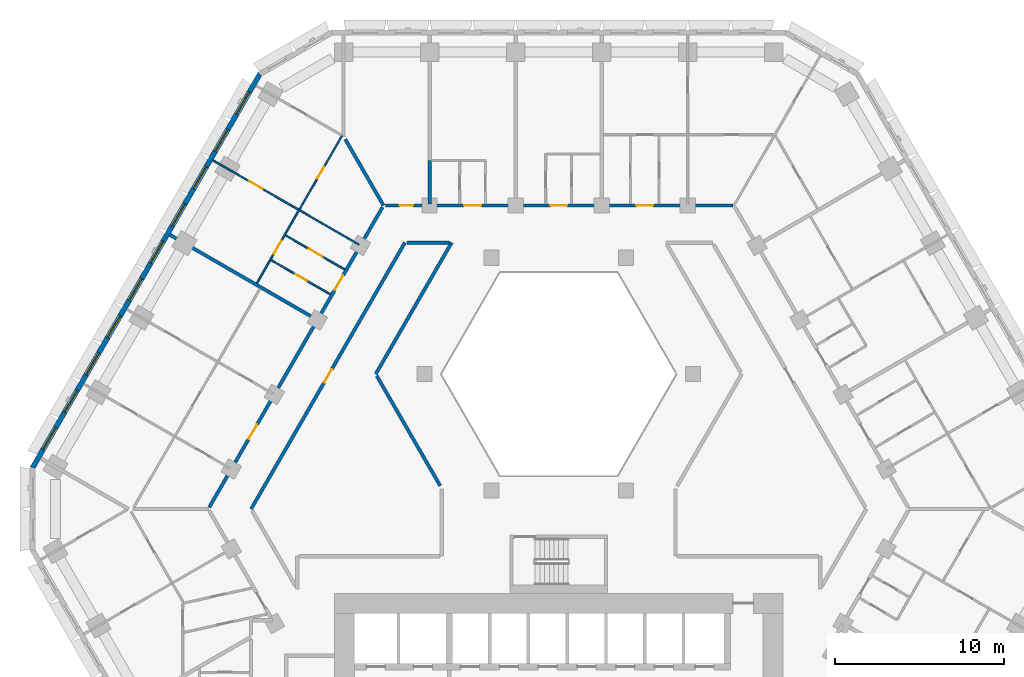
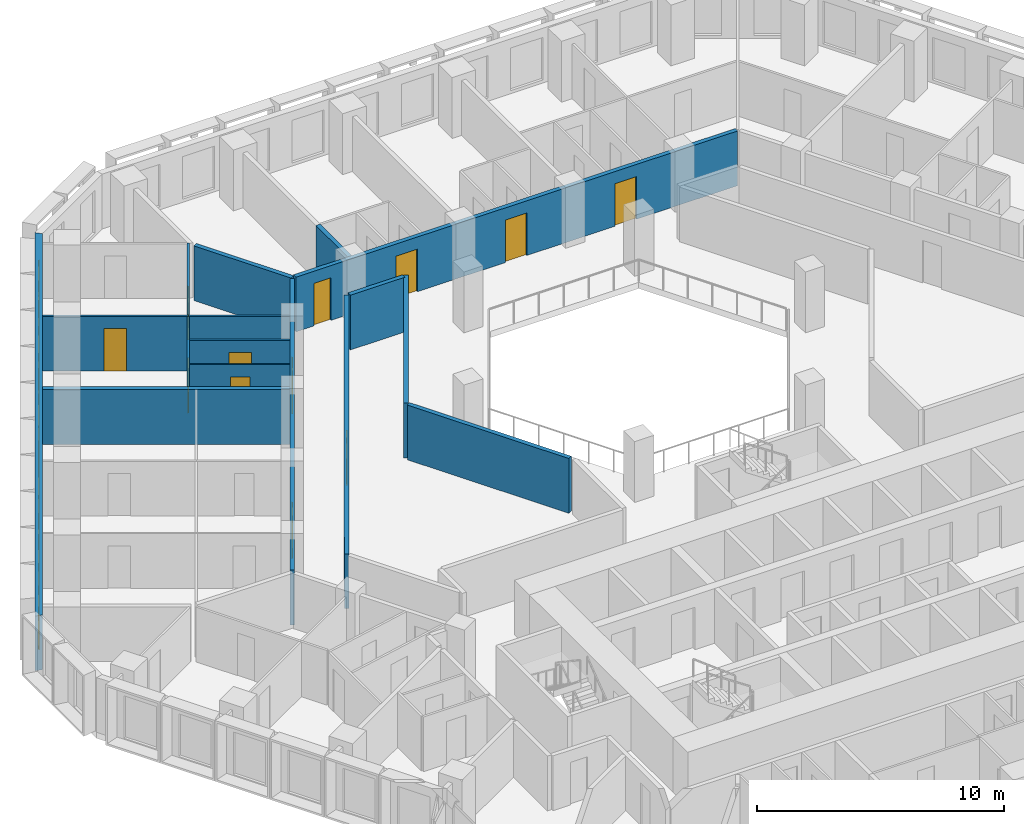
# One storey, part 9 of 21: 15 walls, 12 doors, 10 windows, 22 openings.
"""IFC4 building model written with IfcOpenShell, lengths in metres."""

from ifc_helpers import new_model, si_unit, direction, frame, frame_2d, origin, place, context, subcontext, project, spatial, polyline, rectangle, outline, extrude, material, layer, layer_set, type_object, element, fill, save


model = new_model("IFC4")

# Units and contexts
model_context = context("Model", 3, precision=1e-05, world=origin(), true_north=direction((0.0, 1.0)))
body_context = subcontext(model_context, "Body", "Model", "MODEL_VIEW")
ifc_project = project(units=[si_unit("LENGTHUNIT", "METRE"), si_unit("AREAUNIT", "SQUARE_METRE"), si_unit("VOLUMEUNIT", "CUBIC_METRE"), si_unit("PLANEANGLEUNIT", "RADIAN"), si_unit("MASSUNIT", "GRAM", prefix="KILO")], contexts=[model_context])

# Site, building, storey
site_placement = place(None, origin())
site = spatial("IfcSite", under=ifc_project, at=site_placement, CompositionType="ELEMENT")
building_placement = place(site_placement, origin())
building = spatial("IfcBuilding", under=site, at=building_placement, Name="Beryl Residences", CompositionType="ELEMENT")
storey_placement = place(building_placement, frame((0.0, 0.0, 29.39990234375)))
storey = spatial("IfcBuildingStorey", under=building, at=storey_placement, Name="L08", CompositionType="ELEMENT", Elevation=29.39990234375)

# Wall, openings, windows
ifc_material_1 = material(Name="Composite metal panel with mineral wool insulation")
ifc_layer_1 = layer(ifc_material_1, 0.300048828125)
ifc_layer_set_1 = layer_set([ifc_layer_1], Name="ES1 pale metal composite panel wall 300 mm")
wall_type_1 = type_object("IfcWallType", Name="ES1 pale metal composite panel wall 300 mm", PredefinedType="SOLIDWALL", material=ifc_layer_set_1)
wall_1_placement = place(storey_placement, frame((-17.7099609375, 25.824951171875, 0.0), z_axis=(0.0, 0.0, 1.0), x_axis=(-0.500001938803, -0.866024284413, 0.0)))
wall_1 = element("IfcWall", 1, at=wall_1_placement, inside=storey, type_object=wall_type_1, Name="ES1 external wall L08 NW", PredefinedType="SOLIDWALL", context=body_context, shape_type="SweptSolid", body=[
    extrude(outline(polyline([(0.0, -0.14990234375), (27.02001953125, -0.14990234375), (26.939697265625, 0.14990234375), (0.080322265625, 0.14990234375), (0.0, -0.14990234375)])), origin(), (0.0, 0.0, 1.0), 2.7001953125),
])
opening_1_placement = place(wall_1_placement, frame((1.277099609375, 0.0, 0.14990234375)))
opening_1 = element("IfcOpeningElement", 2, at=opening_1_placement, cuts=wall_1, Name="Opening W1", PredefinedType="OPENING", context=body_context, shape_type="SweptSolid", body=[
    extrude(rectangle(XDim=1.5, YDim=2.10009765625, at=frame_2d((0.75, 1.050048828125))), frame((0.0, 0.159912109375, 0.0), z_axis=(0.0, -1.0, 0.0), x_axis=(1.0, 0.0, 0.0)), (0.0, 0.0, 1.0), 0.320068359375),
])
opening_2_placement = place(wall_1_placement, frame((3.8291015625, 0.0, 0.14990234375)))
opening_2 = element("IfcOpeningElement", 3, at=opening_2_placement, cuts=wall_1, Name="Opening W1", PredefinedType="OPENING", context=body_context, shape_type="SweptSolid", body=[
    extrude(rectangle(XDim=1.5, YDim=2.10009765625, at=frame_2d((0.75, 1.050048828125))), frame((0.0, 0.159912109375, 0.0), z_axis=(0.0, -1.0, 0.0), x_axis=(1.0, 0.0, 0.0)), (0.0, 0.0, 1.0), 0.320068359375),
])
opening_3_placement = place(wall_1_placement, frame((6.382080078125, 0.0, 0.14990234375)))
opening_3 = element("IfcOpeningElement", 4, at=opening_3_placement, cuts=wall_1, Name="Opening W1", PredefinedType="OPENING", context=body_context, shape_type="SweptSolid", body=[
    extrude(rectangle(XDim=1.5, YDim=2.10009765625, at=frame_2d((0.75, 1.050048828125))), frame((0.0, 0.159912109375, 0.0), z_axis=(0.0, -1.0, 0.0), x_axis=(1.0, 0.0, 0.0)), (0.0, 0.0, 1.0), 0.320068359375),
])
opening_4_placement = place(wall_1_placement, frame((8.93310546875, 0.0, 0.14990234375)))
opening_4 = element("IfcOpeningElement", 5, at=opening_4_placement, cuts=wall_1, Name="Opening W1", PredefinedType="OPENING", context=body_context, shape_type="SweptSolid", body=[
    extrude(rectangle(XDim=1.5, YDim=2.10009765625, at=frame_2d((0.75, 1.050048828125))), frame((0.0, 0.159912109375, 0.0), z_axis=(0.0, -1.0, 0.0), x_axis=(1.0, 0.0, 0.0)), (0.0, 0.0, 1.0), 0.320068359375),
])
opening_5_placement = place(wall_1_placement, frame((11.485107421875, 0.0, 0.14990234375)))
opening_5 = element("IfcOpeningElement", 6, at=opening_5_placement, cuts=wall_1, Name="Opening W1", PredefinedType="OPENING", context=body_context, shape_type="SweptSolid", body=[
    extrude(rectangle(XDim=1.5, YDim=2.10009765625, at=frame_2d((0.75, 1.050048828125))), frame((0.0, 0.159912109375, 0.0), z_axis=(0.0, -1.0, 0.0), x_axis=(1.0, 0.0, 0.0)), (0.0, 0.0, 1.0), 0.320068359375),
])
opening_6_placement = place(wall_1_placement, frame((14.037109375, 0.0, 0.14990234375)))
opening_6 = element("IfcOpeningElement", 7, at=opening_6_placement, cuts=wall_1, Name="Opening W1", PredefinedType="OPENING", context=body_context, shape_type="SweptSolid", body=[
    extrude(rectangle(XDim=1.5, YDim=2.10009765625, at=frame_2d((0.75, 1.050048828125))), frame((0.0, 0.159912109375, 0.0), z_axis=(0.0, -1.0, 0.0), x_axis=(1.0, 0.0, 0.0)), (0.0, 0.0, 1.0), 0.320068359375),
])
opening_7_placement = place(wall_1_placement, frame((16.589111328125, 0.0, 0.14990234375)))
opening_7 = element("IfcOpeningElement", 8, at=opening_7_placement, cuts=wall_1, Name="Opening W1", PredefinedType="OPENING", context=body_context, shape_type="SweptSolid", body=[
    extrude(rectangle(XDim=1.5, YDim=2.10009765625, at=frame_2d((0.75, 1.050048828125))), frame((0.0, 0.159912109375, 0.0), z_axis=(0.0, -1.0, 0.0), x_axis=(1.0, 0.0, 0.0)), (0.0, 0.0, 1.0), 0.320068359375),
])
opening_8_placement = place(wall_1_placement, frame((19.14111328125, 0.0, 0.14990234375)))
opening_8 = element("IfcOpeningElement", 9, at=opening_8_placement, cuts=wall_1, Name="Opening W1", PredefinedType="OPENING", context=body_context, shape_type="SweptSolid", body=[
    extrude(rectangle(XDim=1.5, YDim=2.10009765625, at=frame_2d((0.75, 1.050048828125))), frame((0.0, 0.159912109375, 0.0), z_axis=(0.0, -1.0, 0.0), x_axis=(1.0, 0.0, 0.0)), (0.0, 0.0, 1.0), 0.320068359375),
])
opening_9_placement = place(wall_1_placement, frame((21.693115234375, 0.0, 0.14990234375)))
opening_9 = element("IfcOpeningElement", 10, at=opening_9_placement, cuts=wall_1, Name="Opening W1", PredefinedType="OPENING", context=body_context, shape_type="SweptSolid", body=[
    extrude(rectangle(XDim=1.5, YDim=2.10009765625, at=frame_2d((0.75, 1.050048828125))), frame((0.0, 0.159912109375, 0.0), z_axis=(0.0, -1.0, 0.0), x_axis=(1.0, 0.0, 0.0)), (0.0, 0.0, 1.0), 0.320068359375),
])
opening_10_placement = place(wall_1_placement, frame((24.243896484375, 0.0, 0.14990234375)))
opening_10 = element("IfcOpeningElement", 11, at=opening_10_placement, cuts=wall_1, Name="Opening W1", PredefinedType="OPENING", context=body_context, shape_type="SweptSolid", body=[
    extrude(rectangle(XDim=1.5, YDim=2.10009765625, at=frame_2d((0.75, 1.050048828125))), frame((0.0, 0.159912109375, 0.0), z_axis=(0.0, -1.0, 0.0), x_axis=(1.0, 0.0, 0.0)), (0.0, 0.0, 1.0), 0.320068359375),
])
ifc_material_2 = material(Name="Aluminium and clear glass", Category="aluminium")
window_type = type_object("IfcWindowType", Name="W1 cell window 1500 x 2100 mm", PartitioningType="SINGLE_PANEL", PredefinedType="WINDOW", material=ifc_material_2)
window_1_placement = place(opening_1_placement, origin())
window_1 = element("IfcWindow", 12, at=window_1_placement, inside=storey, type_object=window_type, Name="W1 window L08 NW 1", OverallHeight=2.10009765625, OverallWidth=1.5, PartitioningType="SINGLE_PANEL", PredefinedType="WINDOW", context=body_context, shape_type="SweptSolid", body=[
    extrude(rectangle(XDim=1.5, YDim=2.10009765625, at=frame_2d((0.75, 1.050048828125))), frame((0.0, 0.030029296875, 0.0), z_axis=(0.0, -1.0, 0.0), x_axis=(1.0, 0.0, 0.0)), (0.0, 0.0, 1.0), 0.06005859375),
])
fill(opening_1, window_1)
window_2_placement = place(opening_2_placement, origin())
window_2 = element("IfcWindow", 13, at=window_2_placement, inside=storey, type_object=window_type, Name="W1 window L08 NW 2", OverallHeight=2.10009765625, OverallWidth=1.5, PartitioningType="SINGLE_PANEL", PredefinedType="WINDOW", context=body_context, shape_type="SweptSolid", body=[
    extrude(rectangle(XDim=1.5, YDim=2.10009765625, at=frame_2d((0.75, 1.050048828125))), frame((0.0, 0.030029296875, 0.0), z_axis=(0.0, -1.0, 0.0), x_axis=(1.0, 0.0, 0.0)), (0.0, 0.0, 1.0), 0.06005859375),
])
fill(opening_2, window_2)
window_3_placement = place(opening_3_placement, origin())
window_3 = element("IfcWindow", 14, at=window_3_placement, inside=storey, type_object=window_type, Name="W1 window L08 NW 3", OverallHeight=2.10009765625, OverallWidth=1.5, PartitioningType="SINGLE_PANEL", PredefinedType="WINDOW", context=body_context, shape_type="SweptSolid", body=[
    extrude(rectangle(XDim=1.5, YDim=2.10009765625, at=frame_2d((0.75, 1.050048828125))), frame((0.0, 0.030029296875, 0.0), z_axis=(0.0, -1.0, 0.0), x_axis=(1.0, 0.0, 0.0)), (0.0, 0.0, 1.0), 0.06005859375),
])
fill(opening_3, window_3)
window_4_placement = place(opening_4_placement, origin())
window_4 = element("IfcWindow", 15, at=window_4_placement, inside=storey, type_object=window_type, Name="W1 window L08 NW 4", OverallHeight=2.10009765625, OverallWidth=1.5, PartitioningType="SINGLE_PANEL", PredefinedType="WINDOW", context=body_context, shape_type="SweptSolid", body=[
    extrude(rectangle(XDim=1.5, YDim=2.10009765625, at=frame_2d((0.75, 1.050048828125))), frame((0.0, 0.030029296875, 0.0), z_axis=(0.0, -1.0, 0.0), x_axis=(1.0, 0.0, 0.0)), (0.0, 0.0, 1.0), 0.06005859375),
])
fill(opening_4, window_4)
window_5_placement = place(opening_5_placement, origin())
window_5 = element("IfcWindow", 16, at=window_5_placement, inside=storey, type_object=window_type, Name="W1 window L08 NW 5", OverallHeight=2.10009765625, OverallWidth=1.5, PartitioningType="SINGLE_PANEL", PredefinedType="WINDOW", context=body_context, shape_type="SweptSolid", body=[
    extrude(rectangle(XDim=1.5, YDim=2.10009765625, at=frame_2d((0.75, 1.050048828125))), frame((0.0, 0.030029296875, 0.0), z_axis=(0.0, -1.0, 0.0), x_axis=(1.0, 0.0, 0.0)), (0.0, 0.0, 1.0), 0.06005859375),
])
fill(opening_5, window_5)
window_6_placement = place(opening_6_placement, origin())
window_6 = element("IfcWindow", 17, at=window_6_placement, inside=storey, type_object=window_type, Name="W1 window L08 NW 6", OverallHeight=2.10009765625, OverallWidth=1.5, PartitioningType="SINGLE_PANEL", PredefinedType="WINDOW", context=body_context, shape_type="SweptSolid", body=[
    extrude(rectangle(XDim=1.5, YDim=2.10009765625, at=frame_2d((0.75, 1.050048828125))), frame((0.0, 0.030029296875, 0.0), z_axis=(0.0, -1.0, 0.0), x_axis=(1.0, 0.0, 0.0)), (0.0, 0.0, 1.0), 0.06005859375),
])
fill(opening_6, window_6)
window_7_placement = place(opening_7_placement, origin())
window_7 = element("IfcWindow", 18, at=window_7_placement, inside=storey, type_object=window_type, Name="W1 window L08 NW 7", OverallHeight=2.10009765625, OverallWidth=1.5, PartitioningType="SINGLE_PANEL", PredefinedType="WINDOW", context=body_context, shape_type="SweptSolid", body=[
    extrude(rectangle(XDim=1.5, YDim=2.10009765625, at=frame_2d((0.75, 1.050048828125))), frame((0.0, 0.030029296875, 0.0), z_axis=(0.0, -1.0, 0.0), x_axis=(1.0, 0.0, 0.0)), (0.0, 0.0, 1.0), 0.06005859375),
])
fill(opening_7, window_7)
window_8_placement = place(opening_8_placement, origin())
window_8 = element("IfcWindow", 19, at=window_8_placement, inside=storey, type_object=window_type, Name="W1 window L08 NW 8", OverallHeight=2.10009765625, OverallWidth=1.5, PartitioningType="SINGLE_PANEL", PredefinedType="WINDOW", context=body_context, shape_type="SweptSolid", body=[
    extrude(rectangle(XDim=1.5, YDim=2.10009765625, at=frame_2d((0.75, 1.050048828125))), frame((0.0, 0.030029296875, 0.0), z_axis=(0.0, -1.0, 0.0), x_axis=(1.0, 0.0, 0.0)), (0.0, 0.0, 1.0), 0.06005859375),
])
fill(opening_8, window_8)
window_9_placement = place(opening_9_placement, origin())
window_9 = element("IfcWindow", 20, at=window_9_placement, inside=storey, type_object=window_type, Name="W1 window L08 NW 9", OverallHeight=2.10009765625, OverallWidth=1.5, PartitioningType="SINGLE_PANEL", PredefinedType="WINDOW", context=body_context, shape_type="SweptSolid", body=[
    extrude(rectangle(XDim=1.5, YDim=2.10009765625, at=frame_2d((0.75, 1.050048828125))), frame((0.0, 0.030029296875, 0.0), z_axis=(0.0, -1.0, 0.0), x_axis=(1.0, 0.0, 0.0)), (0.0, 0.0, 1.0), 0.06005859375),
])
fill(opening_9, window_9)
window_10_placement = place(opening_10_placement, origin())
window_10 = element("IfcWindow", 21, at=window_10_placement, inside=storey, type_object=window_type, Name="W1 window L08 NW 10", OverallHeight=2.10009765625, OverallWidth=1.5, PartitioningType="SINGLE_PANEL", PredefinedType="WINDOW", context=body_context, shape_type="SweptSolid", body=[
    extrude(rectangle(XDim=1.5, YDim=2.10009765625, at=frame_2d((0.75, 1.050048828125))), frame((0.0, 0.030029296875, 0.0), z_axis=(0.0, -1.0, 0.0), x_axis=(1.0, 0.0, 0.0)), (0.0, 0.0, 1.0), 0.06005859375),
])
fill(opening_10, window_10)

# Wall, opening, door
ifc_material_3 = material(Name="Gypsum board partition on steel studs", Category="steel")
ifc_layer_2 = layer(ifc_material_3, 0.10009765625)
ifc_layer_set_2 = layer_set([ifc_layer_2], Name="PT1 partition 100 mm gypsum board on steel studs")
wall_type_2 = type_object("IfcWallType", Name="PT1 partition 100 mm gypsum board on steel studs", PredefinedType="PARTITIONING", material=ifc_layer_set_2)
wall_2_placement = place(storey_placement, frame((-17.055908203125, 14.758056640625, 0.0), z_axis=(0.0, 0.0, 1.0), x_axis=(0.866035025835, -0.499983333749, 0.0)))
wall_2 = element("IfcWall", 22, at=wall_2_placement, inside=storey, type_object=wall_type_2, Name="Wall PT1 L08 017", PredefinedType="PARTITIONING", context=body_context, shape_type="SweptSolid", body=[
    extrude(rectangle(XDim=4.050537109375, YDim=0.10009765625, at=frame_2d((2.025390625, 0.0))), origin(), (0.0, 0.0, 1.0), 2.7001953125),
])
opening_11_placement = place(wall_2_placement, frame((1.64990234375, 0.0, 0.0)))
opening_11 = element("IfcOpeningElement", 23, at=opening_11_placement, cuts=wall_2, Name="Opening D0157", PredefinedType="OPENING", context=body_context, shape_type="SweptSolid", body=[
    extrude(rectangle(XDim=0.800048828125, YDim=2.10009765625, at=frame_2d((0.39990234375, 1.050048828125))), frame((0.0, 0.06005859375, 0.0), z_axis=(0.0, -1.0, 0.0), x_axis=(1.0, 0.0, 0.0)), (0.0, 0.0, 1.0), 0.1201171875),
])
ifc_material_4 = material(Name="Timber door leaf", Category="wood")
door_type_1 = type_object("IfcDoorType", Name="D3 bathroom door 800 x 2100 mm", OperationType="SINGLE_SWING_LEFT", PredefinedType="DOOR", material=ifc_material_4)
door_1_placement = place(opening_11_placement, origin())
door_1 = element("IfcDoor", 24, at=door_1_placement, inside=storey, type_object=door_type_1, Name="Door D0157 L08 001", OperationType="SINGLE_SWING_LEFT", OverallHeight=2.10009765625, OverallWidth=0.800048828125, PredefinedType="DOOR", context=body_context, shape_type="SweptSolid", body=[
    extrude(rectangle(XDim=0.800048828125, YDim=2.10009765625, at=frame_2d((0.39990234375, 1.050048828125))), frame((0.0, 0.02490234375, 0.0), z_axis=(0.0, -1.0, 0.0), x_axis=(1.0, 0.0, 0.0)), (0.0, 0.0, 1.0), 0.050048828125),
])
fill(opening_11, door_1)

wall_3_placement = place(storey_placement, frame((-16.2060546875, 16.22998046875, 0.0), z_axis=(0.0, 0.0, 1.0), x_axis=(0.866076189179, -0.499912026797, 0.0)))
wall_3 = element("IfcWall", 25, at=wall_3_placement, inside=storey, type_object=wall_type_2, Name="Wall PT1 L08 020", PredefinedType="PARTITIONING", context=body_context, shape_type="SweptSolid", body=[
    extrude(rectangle(XDim=4.050537109375, YDim=0.10009765625, at=frame_2d((2.025390625, 0.0))), origin(), (0.0, 0.0, 1.0), 2.7001953125),
])
opening_12_placement = place(wall_3_placement, frame((1.60009765625, 0.0, 0.0)))
opening_12 = element("IfcOpeningElement", 26, at=opening_12_placement, cuts=wall_3, Name="Opening D0158", PredefinedType="OPENING", context=body_context, shape_type="SweptSolid", body=[
    extrude(rectangle(XDim=0.89990234375, YDim=2.10009765625, at=frame_2d((0.449951171875, 1.050048828125))), frame((0.0, 0.06005859375, 0.0), z_axis=(0.0, -1.0, 0.0), x_axis=(1.0, 0.0, 0.0)), (0.0, 0.0, 1.0), 0.1201171875),
])
ifc_material_5 = material(Name="Timber door leaf", Category="wood")
door_type_2 = type_object("IfcDoorType", Name="D2 room door 900 x 2100 mm", OperationType="SINGLE_SWING_LEFT", PredefinedType="DOOR", material=ifc_material_5)
door_2_placement = place(opening_12_placement, origin())
door_2 = element("IfcDoor", 27, at=door_2_placement, inside=storey, type_object=door_type_2, Name="Door D0158 L08 001", OperationType="SINGLE_SWING_RIGHT", OverallHeight=2.10009765625, OverallWidth=0.89990234375, PredefinedType="DOOR", context=body_context, shape_type="SweptSolid", body=[
    extrude(rectangle(XDim=0.89990234375, YDim=2.10009765625, at=frame_2d((0.449951171875, 1.050048828125))), frame((0.0, 0.02490234375, 0.0), z_axis=(0.0, -1.0, 0.0), x_axis=(1.0, 0.0, 0.0)), (0.0, 0.0, 1.0), 0.050048828125),
])
fill(opening_12, door_2)

wall_4_placement = place(storey_placement, frame((-20.508056640625, 20.678955078125, 0.0), z_axis=(0.0, 0.0, 1.0), x_axis=(0.866052608538, -0.499952877023, 0.0)))
wall_4 = element("IfcWall", 28, at=wall_4_placement, inside=storey, type_object=wall_type_2, Name="Wall PT1 L08 021", PredefinedType="PARTITIONING", context=body_context, shape_type="SweptSolid", body=[
    extrude(rectangle(XDim=5.900390625, YDim=0.10009765625, at=frame_2d((2.9501953125, 0.0))), origin(), (0.0, 0.0, 1.0), 2.7001953125),
])
opening_13_placement = place(wall_4_placement, frame((2.5, 0.0, 0.0)))
opening_13 = element("IfcOpeningElement", 29, at=opening_13_placement, cuts=wall_4, Name="Opening D0160", PredefinedType="OPENING", context=body_context, shape_type="SweptSolid", body=[
    extrude(rectangle(XDim=0.89990234375, YDim=2.10009765625, at=frame_2d((0.449951171875, 1.050048828125))), frame((0.0, 0.06005859375, 0.0), z_axis=(0.0, -1.0, 0.0), x_axis=(1.0, 0.0, 0.0)), (0.0, 0.0, 1.0), 0.1201171875),
])
door_3_placement = place(opening_13_placement, origin())
door_3 = element("IfcDoor", 30, at=door_3_placement, inside=storey, type_object=door_type_2, Name="Door D0160 L08 001", OperationType="SINGLE_SWING_RIGHT", OverallHeight=2.10009765625, OverallWidth=0.89990234375, PredefinedType="DOOR", context=body_context, shape_type="SweptSolid", body=[
    extrude(rectangle(XDim=0.89990234375, YDim=2.10009765625, at=frame_2d((0.449951171875, 1.050048828125))), frame((0.0, 0.02490234375, 0.0), z_axis=(0.0, -1.0, 0.0), x_axis=(1.0, 0.0, 0.0)), (0.0, 0.0, 1.0), 0.050048828125),
])
fill(opening_13, door_3)

# Wall, openings, doors
wall_5_placement = place(storey_placement, frame((-17.89990234375, 13.39501953125, 0.0), z_axis=(0.0, 0.0, 1.0), x_axis=(0.499949632511, 0.866054481515, 0.0)))
wall_5 = element("IfcWall", 31, at=wall_5_placement, inside=storey, type_object=wall_type_2, Name="Wall PT1 L08 040", PredefinedType="PARTITIONING", context=body_context, shape_type="SweptSolid", body=[
    extrude(rectangle(XDim=10.10888671875, YDim=0.10009765625, at=frame_2d((5.054443359375, 0.0))), origin(), (0.0, 0.0, 1.0), 2.7001953125),
])
opening_14_placement = place(wall_5_placement, frame((2.001953125, 0.0, 0.0)))
opening_14 = element("IfcOpeningElement", 32, at=opening_14_placement, cuts=wall_5, Name="Opening D0159", PredefinedType="OPENING", context=body_context, shape_type="SweptSolid", body=[
    extrude(rectangle(XDim=0.89990234375, YDim=2.10009765625, at=frame_2d((0.449951171875, 1.050048828125))), frame((0.0, 0.06005859375, 0.0), z_axis=(0.0, -1.0, 0.0), x_axis=(1.0, 0.0, 0.0)), (0.0, 0.0, 1.0), 0.1201171875),
])
opening_15_placement = place(wall_5_placement, frame((7.156005859375, 0.0, 0.0)))
opening_15 = element("IfcOpeningElement", 33, at=opening_15_placement, cuts=wall_5, Name="Opening D0162", PredefinedType="OPENING", context=body_context, shape_type="SweptSolid", body=[
    extrude(rectangle(XDim=0.800048828125, YDim=2.10009765625, at=frame_2d((0.39990234375, 1.050048828125))), frame((0.0, 0.06005859375, 0.0), z_axis=(0.0, -1.0, 0.0), x_axis=(1.0, 0.0, 0.0)), (0.0, 0.0, 1.0), 0.1201171875),
])
door_4_placement = place(opening_14_placement, origin())
door_4 = element("IfcDoor", 34, at=door_4_placement, inside=storey, type_object=door_type_2, Name="Door D0159 L08 001", OperationType="SINGLE_SWING_LEFT", OverallHeight=2.10009765625, OverallWidth=0.89990234375, PredefinedType="DOOR", context=body_context, shape_type="SweptSolid", body=[
    extrude(rectangle(XDim=0.89990234375, YDim=2.10009765625, at=frame_2d((0.449951171875, 1.050048828125))), frame((0.0, 0.02490234375, 0.0), z_axis=(0.0, -1.0, 0.0), x_axis=(1.0, 0.0, 0.0)), (0.0, 0.0, 1.0), 0.050048828125),
])
fill(opening_14, door_4)
door_5_placement = place(opening_15_placement, origin())
door_5 = element("IfcDoor", 35, at=door_5_placement, inside=storey, type_object=door_type_1, Name="Door D0162 L08 001", OperationType="SINGLE_SWING_RIGHT", OverallHeight=2.10009765625, OverallWidth=0.800048828125, PredefinedType="DOOR", context=body_context, shape_type="SweptSolid", body=[
    extrude(rectangle(XDim=0.800048828125, YDim=2.10009765625, at=frame_2d((0.39990234375, 1.050048828125))), frame((0.0, 0.02490234375, 0.0), z_axis=(0.0, -1.0, 0.0), x_axis=(1.0, 0.0, 0.0)), (0.0, 0.0, 1.0), 0.050048828125),
])
fill(opening_15, door_5)

# Walls
wall_6_placement = place(storey_placement, frame((-15.39794921875, 17.72900390625, 0.0), z_axis=(0.0, 0.0, 1.0), x_axis=(0.866039832988, -0.499975007054, 0.0)))
element("IfcWall", 36, at=wall_6_placement, inside=storey, type_object=wall_type_2, Name="Wall PT1 L08 075", PredefinedType="PARTITIONING", context=body_context, shape_type="SweptSolid", body=[
    extrude(rectangle(XDim=4.100341796875, YDim=0.10009765625, at=frame_2d((2.05029296875, 0.0))), origin(), (0.0, 0.0, 1.0), 2.7001953125),
])
ifc_material_6 = material(Name="Acoustic double stud gypsum board wall")
ifc_layer_3 = layer(ifc_material_6, 0.199951171875)
ifc_layer_set_3 = layer_set([ifc_layer_3], Name="PT3 party wall 200 mm acoustic double stud")
wall_type_3 = type_object("IfcWallType", Name="PT3 party wall 200 mm acoustic double stud", PredefinedType="PARTITIONING", material=ifc_layer_set_3)
wall_7_placement = place(storey_placement, frame((-12.660888671875, 21.929931640625, 0.0), z_axis=(0.0, 0.0, 1.0), x_axis=(0.499975495332, -0.866039551099, 0.0)))
element("IfcWall", 37, at=wall_7_placement, inside=storey, type_object=wall_type_3, Name="Wall PT3 L08 001", PredefinedType="PARTITIONING", context=body_context, shape_type="SweptSolid", body=[
    extrude(rectangle(XDim=4.537841796875, YDim=0.199951171875, at=frame_2d((2.26904296875, 0.0))), origin(), (0.0, 0.0, 1.0), 2.7001953125),
])
wall_8_placement = place(storey_placement, frame((-23.06005859375, 16.259033203125, 0.0), z_axis=(0.0, 0.0, 1.0), x_axis=(0.866047370643, -0.499961950354, 0.0)))
element("IfcWall", 38, at=wall_8_placement, inside=storey, type_object=wall_type_3, Name="Wall PT3 L08 011", PredefinedType="PARTITIONING", context=body_context, shape_type="SweptSolid", body=[
    extrude(rectangle(XDim=10.000732421875, YDim=0.199951171875, at=frame_2d((5.00048828125, 0.0))), origin(), (0.0, 0.0, 1.0), 2.7001953125),
])
wall_9_placement = place(storey_placement, frame((-7.656982421875, 18.10009765625, 0.0), z_axis=(0.0, 0.0, 1.0), x_axis=(0.0, 1.0, 0.0)))
element("IfcWall", 39, at=wall_9_placement, inside=storey, type_object=wall_type_3, Name="Wall PT3 L08 020", PredefinedType="PARTITIONING", context=body_context, shape_type="SweptSolid", body=[
    extrude(rectangle(XDim=2.559814453125, YDim=0.199951171875, at=frame_2d((1.27978515625, 0.0))), origin(), (0.0, 0.0, 1.0), 2.7001953125),
])
ifc_material_7 = material(Name="Double stud gypsum board wall")
ifc_layer_4 = layer(ifc_material_7, 0.199951171875)
ifc_layer_set_4 = layer_set([ifc_layer_4], Name="PT4 corridor wall 200 mm double stud")
wall_type_4 = type_object("IfcWallType", Name="PT4 corridor wall 200 mm double stud", PredefinedType="PARTITIONING", material=ifc_layer_set_4)
wall_10_placement = place(storey_placement, frame((-10.7958984375, 7.89990234375, 0.0), z_axis=(0.0, 0.0, 1.0), x_axis=(0.499954271211, -0.866051803703, 0.0)))
element("IfcWall", 40, at=wall_10_placement, inside=storey, type_object=wall_type_4, Name="Wall PT4 L08 001", PredefinedType="PARTITIONING", context=body_context, shape_type="SweptSolid", body=[
    extrude(rectangle(XDim=7.536376953125, YDim=0.199951171875, at=frame_2d((3.76806640625, 0.0))), origin(), (0.0, 0.0, 1.0), 2.7001953125),
])
wall_11_placement = place(storey_placement, frame((-9.006103515625, 15.800048828125, 0.0), z_axis=(0.0, 0.0, 1.0), x_axis=(1.0, 0.0, 0.0)))
element("IfcWall", 41, at=wall_11_placement, inside=storey, type_object=wall_type_4, Name="Wall PT4 L08 015", PredefinedType="PARTITIONING", context=body_context, shape_type="SweptSolid", body=[
    extrude(rectangle(XDim=2.5400390625, YDim=0.199951171875, at=frame_2d((1.27001953125, 0.0))), origin(), (0.0, 0.0, 1.0), 2.7001953125),
])

# Wall, openings, doors
wall_12_placement = place(storey_placement, frame((-10.27587890625, 18.0, 0.0), z_axis=(0.0, 0.0, 1.0), x_axis=(1.0, 0.0, 0.0)))
wall_12 = element("IfcWall", 42, at=wall_12_placement, inside=storey, type_object=wall_type_4, Name="Wall PT4 L08 017", PredefinedType="PARTITIONING", context=body_context, shape_type="SweptSolid", body=[
    extrude(rectangle(XDim=20.60986328125, YDim=0.199951171875, at=frame_2d((10.304931640625, 0.0))), origin(), (0.0, 0.0, 1.0), 2.7001953125),
])
opening_16_placement = place(wall_12_placement, frame((14.87890625, 0.0, 0.0)))
opening_16 = element("IfcOpeningElement", 43, at=opening_16_placement, cuts=wall_12, Name="Opening D0141", PredefinedType="OPENING", context=body_context, shape_type="SweptSolid", body=[
    extrude(rectangle(XDim=1.0, YDim=2.10009765625, at=frame_2d((0.5, 1.050048828125))), frame((0.0, 0.10986328125, 0.0), z_axis=(0.0, -1.0, 0.0), x_axis=(1.0, 0.0, 0.0)), (0.0, 0.0, 1.0), 0.219970703125),
])
opening_17_placement = place(wall_12_placement, frame((9.77490234375, 0.0, 0.0)))
opening_17 = element("IfcOpeningElement", 44, at=opening_17_placement, cuts=wall_12, Name="Opening D0149", PredefinedType="OPENING", context=body_context, shape_type="SweptSolid", body=[
    extrude(rectangle(XDim=1.0, YDim=2.10009765625, at=frame_2d((0.5, 1.050048828125))), frame((0.0, 0.10986328125, 0.0), z_axis=(0.0, -1.0, 0.0), x_axis=(1.0, 0.0, 0.0)), (0.0, 0.0, 1.0), 0.219970703125),
])
opening_18_placement = place(wall_12_placement, frame((4.6708984375, 0.0, 0.0)))
opening_18 = element("IfcOpeningElement", 45, at=opening_18_placement, cuts=wall_12, Name="Opening D0152", PredefinedType="OPENING", context=body_context, shape_type="SweptSolid", body=[
    extrude(rectangle(XDim=1.0, YDim=2.10009765625, at=frame_2d((0.5, 1.050048828125))), frame((0.0, 0.10986328125, 0.0), z_axis=(0.0, -1.0, 0.0), x_axis=(1.0, 0.0, 0.0)), (0.0, 0.0, 1.0), 0.219970703125),
])
opening_19_placement = place(wall_12_placement, frame((0.8369140625, 0.0, 0.0)))
opening_19 = element("IfcOpeningElement", 46, at=opening_19_placement, cuts=wall_12, Name="Opening D0155", PredefinedType="OPENING", context=body_context, shape_type="SweptSolid", body=[
    extrude(rectangle(XDim=0.800048828125, YDim=2.10009765625, at=frame_2d((0.39990234375, 1.050048828125))), frame((0.0, 0.10986328125, 0.0), z_axis=(0.0, -1.0, 0.0), x_axis=(1.0, 0.0, 0.0)), (0.0, 0.0, 1.0), 0.219970703125),
])
ifc_material_8 = material(Name="Timber door leaf", Category="wood")
door_type_3 = type_object("IfcDoorType", Name="D1 flat entrance door 1000 x 2100 mm", OperationType="SINGLE_SWING_LEFT", PredefinedType="DOOR", material=ifc_material_8)
door_6_placement = place(opening_16_placement, origin())
door_6 = element("IfcDoor", 47, at=door_6_placement, inside=storey, type_object=door_type_3, Name="Door D0141 L08 001", OperationType="SINGLE_SWING_LEFT", OverallHeight=2.10009765625, OverallWidth=1.0, PredefinedType="DOOR", context=body_context, shape_type="SweptSolid", body=[
    extrude(rectangle(XDim=1.0, YDim=2.10009765625, at=frame_2d((0.5, 1.050048828125))), frame((0.0, 0.02490234375, 0.0), z_axis=(0.0, -1.0, 0.0), x_axis=(1.0, 0.0, 0.0)), (0.0, 0.0, 1.0), 0.050048828125),
])
fill(opening_16, door_6)
door_7_placement = place(opening_17_placement, origin())
door_7 = element("IfcDoor", 48, at=door_7_placement, inside=storey, type_object=door_type_3, Name="Door D0149 L08 001", OperationType="SINGLE_SWING_LEFT", OverallHeight=2.10009765625, OverallWidth=1.0, PredefinedType="DOOR", context=body_context, shape_type="SweptSolid", body=[
    extrude(rectangle(XDim=1.0, YDim=2.10009765625, at=frame_2d((0.5, 1.050048828125))), frame((0.0, 0.02490234375, 0.0), z_axis=(0.0, -1.0, 0.0), x_axis=(1.0, 0.0, 0.0)), (0.0, 0.0, 1.0), 0.050048828125),
])
fill(opening_17, door_7)
door_8_placement = place(opening_18_placement, origin())
door_8 = element("IfcDoor", 49, at=door_8_placement, inside=storey, type_object=door_type_3, Name="Door D0152 L08 001", OperationType="SINGLE_SWING_RIGHT", OverallHeight=2.10009765625, OverallWidth=1.0, PredefinedType="DOOR", context=body_context, shape_type="SweptSolid", body=[
    extrude(rectangle(XDim=1.0, YDim=2.10009765625, at=frame_2d((0.5, 1.050048828125))), frame((0.0, 0.02490234375, 0.0), z_axis=(0.0, -1.0, 0.0), x_axis=(1.0, 0.0, 0.0)), (0.0, 0.0, 1.0), 0.050048828125),
])
fill(opening_18, door_8)
door_9_placement = place(opening_19_placement, origin())
door_9 = element("IfcDoor", 50, at=door_9_placement, inside=storey, type_object=door_type_1, Name="Door D0155 L08 001", OperationType="SINGLE_SWING_LEFT", OverallHeight=2.10009765625, OverallWidth=0.800048828125, PredefinedType="DOOR", context=body_context, shape_type="SweptSolid", body=[
    extrude(rectangle(XDim=0.800048828125, YDim=2.10009765625, at=frame_2d((0.39990234375, 1.050048828125))), frame((0.0, 0.02490234375, 0.0), z_axis=(0.0, -1.0, 0.0), x_axis=(1.0, 0.0, 0.0)), (0.0, 0.0, 1.0), 0.050048828125),
])
fill(opening_19, door_9)

# Wall
wall_13_placement = place(storey_placement, frame((-10.85400390625, 8.0, 0.0), z_axis=(0.0, 0.0, 1.0), x_axis=(0.499964141897, 0.86604610548, 0.0)))
element("IfcWall", 51, at=wall_13_placement, inside=storey, type_object=wall_type_4, Name="Wall PT4 L08 022", PredefinedType="PARTITIONING", context=body_context, shape_type="SweptSolid", body=[
    extrude(rectangle(XDim=9.006591796875, YDim=0.199951171875, at=frame_2d((4.50341796875, 0.0))), origin(), (0.0, 0.0, 1.0), 2.7001953125),
])

# Wall, opening, door
wall_14_placement = place(storey_placement, frame((-18.243896484375, -0.0009765625, 0.0), z_axis=(0.0, 0.0, 1.0), x_axis=(0.499962999376, 0.866046765051, 0.0)))
wall_14 = element("IfcWall", 52, at=wall_14_placement, inside=storey, type_object=wall_type_4, Name="Wall PT4 L08 023", PredefinedType="PARTITIONING", context=body_context, shape_type="SweptSolid", body=[
    extrude(rectangle(XDim=18.2451171875, YDim=0.199951171875, at=frame_2d((9.12255859375, 0.0))), origin(), (0.0, 0.0, 1.0), 2.7001953125),
])
opening_20_placement = place(wall_14_placement, frame((8.672119140625, 0.0, 0.0)))
opening_20 = element("IfcOpeningElement", 53, at=opening_20_placement, cuts=wall_14, Name="Opening D0181", PredefinedType="OPENING", context=body_context, shape_type="SweptSolid", body=[
    extrude(rectangle(XDim=0.89990234375, YDim=2.10009765625, at=frame_2d((0.449951171875, 1.050048828125))), frame((0.0, 0.10986328125, 0.0), z_axis=(0.0, -1.0, 0.0), x_axis=(1.0, 0.0, 0.0)), (0.0, 0.0, 1.0), 0.219970703125),
])
door_10_placement = place(opening_20_placement, origin())
door_10 = element("IfcDoor", 54, at=door_10_placement, inside=storey, type_object=door_type_2, Name="Door D0181 L08 001", OperationType="SINGLE_SWING_LEFT", OverallHeight=2.10009765625, OverallWidth=0.89990234375, PredefinedType="DOOR", context=body_context, shape_type="SweptSolid", body=[
    extrude(rectangle(XDim=0.89990234375, YDim=2.10009765625, at=frame_2d((0.449951171875, 1.050048828125))), frame((0.0, 0.02490234375, 0.0), z_axis=(0.0, -1.0, 0.0), x_axis=(1.0, 0.0, 0.0)), (0.0, 0.0, 1.0), 0.050048828125),
])
fill(opening_20, door_10)

# Wall, openings, doors
wall_15_placement = place(storey_placement, frame((-20.72705078125, 0.09912109375, 0.0), z_axis=(0.0, 0.0, 1.0), x_axis=(0.499993204491, 0.866029327138, 0.0)))
wall_15 = element("IfcWall", 55, at=wall_15_placement, inside=storey, type_object=wall_type_4, Name="Wall PT4 L08 024", PredefinedType="PARTITIONING", context=body_context, shape_type="SweptSolid", body=[
    extrude(rectangle(XDim=20.554443359375, YDim=0.199951171875, at=frame_2d((10.27734375, 0.0))), origin(), (0.0, 0.0, 1.0), 2.7001953125),
])
opening_21_placement = place(wall_15_placement, frame((14.8798828125, 0.0, 0.0)))
opening_21 = element("IfcOpeningElement", 56, at=opening_21_placement, cuts=wall_15, Name="Opening D0156", PredefinedType="OPENING", context=body_context, shape_type="SweptSolid", body=[
    extrude(rectangle(XDim=1.0, YDim=2.10009765625, at=frame_2d((0.5, 1.050048828125))), frame((0.0, 0.10986328125, 0.0), z_axis=(0.0, -1.0, 0.0), x_axis=(1.0, 0.0, 0.0)), (0.0, 0.0, 1.0), 0.219970703125),
])
opening_22_placement = place(wall_15_placement, frame((4.673095703125, 0.0, 0.0)))
opening_22 = element("IfcOpeningElement", 57, at=opening_22_placement, cuts=wall_15, Name="Opening D0163", PredefinedType="OPENING", context=body_context, shape_type="SweptSolid", body=[
    extrude(rectangle(XDim=1.0, YDim=2.10009765625, at=frame_2d((0.5, 1.050048828125))), frame((0.0, 0.10986328125, 0.0), z_axis=(0.0, -1.0, 0.0), x_axis=(1.0, 0.0, 0.0)), (0.0, 0.0, 1.0), 0.219970703125),
])
door_11_placement = place(opening_21_placement, origin())
door_11 = element("IfcDoor", 58, at=door_11_placement, inside=storey, type_object=door_type_3, Name="Door D0156 L08 001", OperationType="SINGLE_SWING_RIGHT", OverallHeight=2.10009765625, OverallWidth=1.0, PredefinedType="DOOR", context=body_context, shape_type="SweptSolid", body=[
    extrude(rectangle(XDim=1.0, YDim=2.10009765625, at=frame_2d((0.5, 1.050048828125))), frame((0.0, 0.02490234375, 0.0), z_axis=(0.0, -1.0, 0.0), x_axis=(1.0, 0.0, 0.0)), (0.0, 0.0, 1.0), 0.050048828125),
])
fill(opening_21, door_11)
door_12_placement = place(opening_22_placement, origin())
door_12 = element("IfcDoor", 59, at=door_12_placement, inside=storey, type_object=door_type_3, Name="Door D0163 L08 001", OperationType="SINGLE_SWING_LEFT", OverallHeight=2.10009765625, OverallWidth=1.0, PredefinedType="DOOR", context=body_context, shape_type="SweptSolid", body=[
    extrude(rectangle(XDim=1.0, YDim=2.10009765625, at=frame_2d((0.5, 1.050048828125))), frame((0.0, 0.02490234375, 0.0), z_axis=(0.0, -1.0, 0.0), x_axis=(1.0, 0.0, 0.0)), (0.0, 0.0, 1.0), 0.050048828125),
])
fill(opening_22, door_12)

save(model, "model.ifc")
